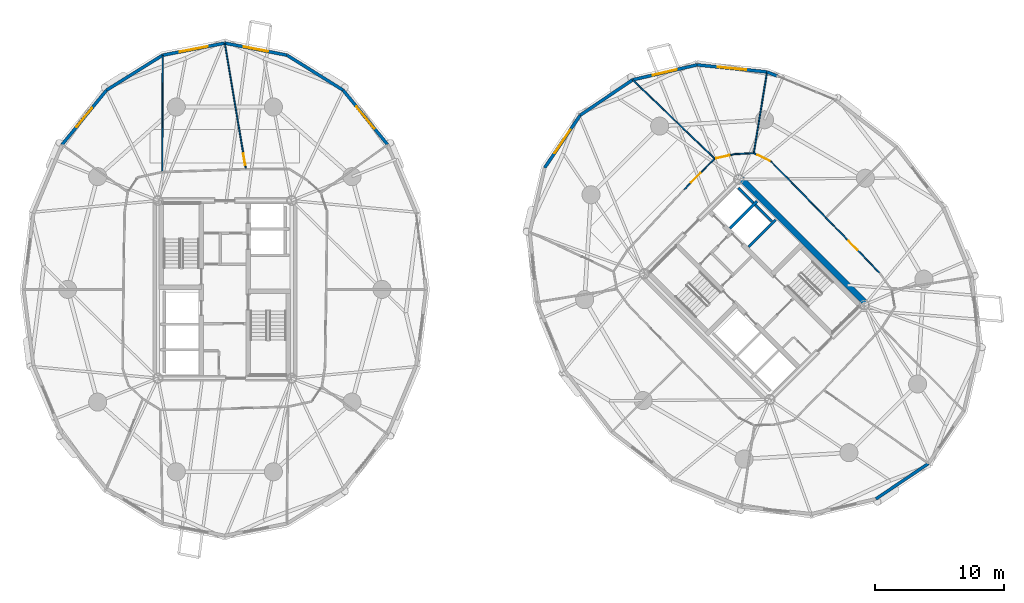
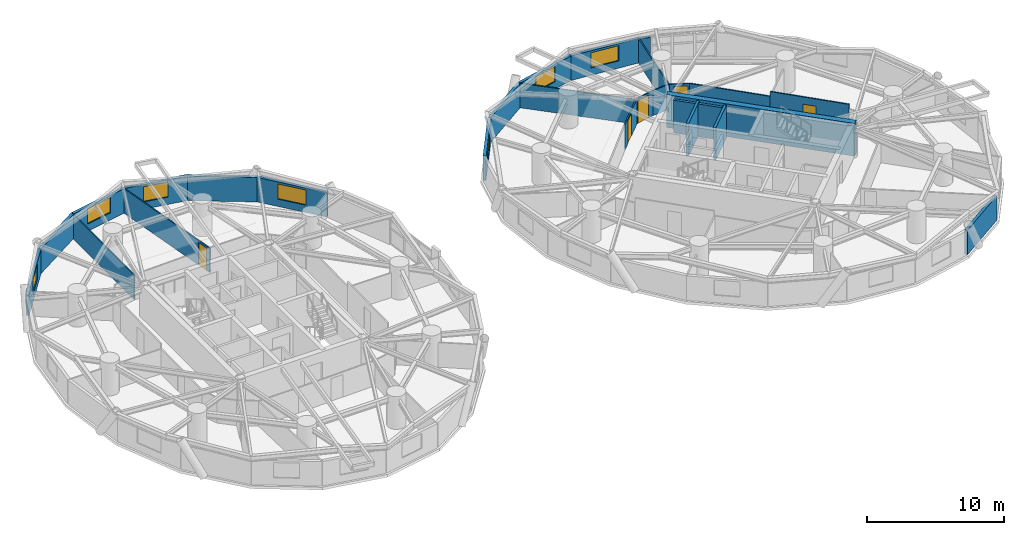
# One storey, part 13 of 16: 27 walls, 7 windows, 5 doors, 12 openings.
"""IFC4 building model written with IfcOpenShell, lengths in metres."""

from ifc_helpers import new_model, si_unit, direction, frame, frame_2d, origin, place, context, subcontext, project, spatial, rectangle, extrude, source, transform, mapped, material, layer, layer_set, type_object, element, fill, save


model = new_model("IFC4")

# Units and contexts
model_context = context("Model", 3, precision=1e-05, world=origin(), true_north=direction((0.0, 1.0)))
body_context = subcontext(model_context, "Body", "Model", "MODEL_VIEW")
ifc_project = project(units=[si_unit("LENGTHUNIT", "METRE"), si_unit("AREAUNIT", "SQUARE_METRE"), si_unit("VOLUMEUNIT", "CUBIC_METRE"), si_unit("PLANEANGLEUNIT", "RADIAN"), si_unit("MASSUNIT", "GRAM", prefix="KILO")], contexts=[model_context])

# Site, building, storey
site_placement = place(None, origin())
site = spatial("IfcSite", under=ifc_project, at=site_placement, CompositionType="ELEMENT")
building_placement = place(site_placement, origin())
building = spatial("IfcBuilding", under=site, at=building_placement, Name="Cununo Teusaquillo Station Towers", CompositionType="ELEMENT")
storey_placement = place(building_placement, frame((0.0, 0.0, 99.25)))
storey = spatial("IfcBuildingStorey", under=building, at=storey_placement, Name="L31", CompositionType="ELEMENT", Elevation=99.25)

# Walls
ifc_material_1 = material(Name="Concrete C50/60", Category="concrete")
ifc_layer_1 = layer(ifc_material_1, 0.199951171875)
ifc_layer_set_1 = layer_set([ifc_layer_1], Name="Concrete C50/60")
wall_type_1 = type_object("IfcWallType", Name="WL-CORE-200", PredefinedType="SHEAR", material=ifc_layer_set_1)
wall_1_placement = place(storey_placement, frame((57.0615234375, 27.781005859375, 0.0), z_axis=(0.0, 0.0, 1.0), x_axis=(0.707106781187, 0.707106781187, 0.0)))
element("IfcWall", 1, at=wall_1_placement, inside=storey, type_object=wall_type_1, Name="L31 Tower B Low-Rise Lift Hoistway South Shear Wall", PredefinedType="SHEAR", context=body_context, shape_type="SweptSolid", body=[
    extrude(rectangle(XDim=2.969970703125, YDim=0.199951171875, at=frame_2d((1.48486328125, 0.0))), origin(), (0.0, 0.0, 1.0), 2.909912109375),
])
wall_2_placement = place(storey_placement, frame((55.615478515625, 29.22705078125, 0.0), z_axis=(0.0, 0.0, 1.0), x_axis=(0.707147878904, 0.70706568108, 0.0)))
element("IfcWall", 2, at=wall_2_placement, inside=storey, type_object=wall_type_1, Name="L31 Tower B Low-Rise Lift Hoistway Divider Shear Wall", PredefinedType="SHEAR", context=body_context, shape_type="SweptSolid", body=[
    extrude(rectangle(XDim=2.97021484375, YDim=0.199951171875, at=frame_2d((1.485107421875, 0.0))), origin(), (0.0, 0.0, 1.0), 2.909912109375),
])
wall_3_placement = place(storey_placement, frame((58.86474609375, 29.75390625, 0.0), z_axis=(0.0, 0.0, 1.0), x_axis=(-0.707174411312, 0.707039144592, 0.0)))
element("IfcWall", 3, at=wall_3_placement, inside=storey, type_object=wall_type_1, Name="L31 Tower B Low-Rise Lift 1 Shaft Rear Shear Wall", PredefinedType="SHEAR", context=body_context, shape_type="SweptSolid", body=[
    extrude(rectangle(XDim=1.804931640625, YDim=0.199951171875, at=frame_2d((0.90234375, 0.0))), origin(), (0.0, 0.0, 1.0), 2.909912109375),
])
wall_4_placement = place(storey_placement, frame((57.418701171875, 31.19970703125, 0.0), z_axis=(0.0, 0.0, 1.0), x_axis=(-0.707032117043, 0.707181437447, 0.0)))
element("IfcWall", 4, at=wall_4_placement, inside=storey, type_object=wall_type_1, Name="L31 Tower B Low-Rise Lift 2 Shaft Rear Shear Wall", PredefinedType="SHEAR", context=body_context, shape_type="SweptSolid", body=[
    extrude(rectangle(XDim=1.635009765625, YDim=0.199951171875, at=frame_2d((0.8173828125, 0.0))), origin(), (0.0, 0.0, 1.0), 2.909912109375),
])
ifc_material_2 = material(Name="Concrete C60/75", Category="concrete")
ifc_layer_2 = layer(ifc_material_2, 0.449951171875)
ifc_layer_set_2 = layer_set([ifc_layer_2], Name="Concrete C60/75")
wall_type_2 = type_object("IfcWallType", Name="WL-CORE-450", PredefinedType="SHEAR", material=ifc_layer_set_2)
wall_5_placement = place(storey_placement, frame((66.303466796875, 23.2626953125, 0.0), z_axis=(0.0, 0.0, 1.0), x_axis=(-0.707106781187, 0.707106781187, 0.0)))
element("IfcWall", 5, at=wall_5_placement, inside=storey, type_object=wall_type_2, Name="L31 Tower B Core Shear Wall E", PredefinedType="SHEAR", context=body_context, shape_type="SweptSolid", body=[
    extrude(rectangle(XDim=14.19970703125, YDim=0.449951171875, at=frame_2d((7.099853515625, 0.0))), origin(), (0.0, 0.0, 1.0), 2.909912109375),
])

# Wall, opening, window
ifc_material_3 = material(Name="Precast concrete C40/50", Category="concrete")
ifc_layer_3 = layer(ifc_material_3, 0.239990234375)
ifc_layer_set_3 = layer_set([ifc_layer_3], Name="Precast concrete C40/50")
wall_type_3 = type_object("IfcWallType", Name="WL-EXT-240", PredefinedType="SOLIDWALL", material=ifc_layer_set_3)
wall_6_placement = place(storey_placement, frame((25.658203125, 39.927978515625, 0.0), z_axis=(0.0, 0.0, 1.0), x_axis=(0.632700781152, -0.77439635945, 0.0)))
wall_6 = element("IfcWall", 6, at=wall_6_placement, inside=storey, type_object=wall_type_3, Name="L31 Tower A Exterior Facade Wall C02", PredefinedType="SOLIDWALL", context=body_context, shape_type="SweptSolid", body=[
    extrude(rectangle(XDim=5.447998046875, YDim=0.239990234375, at=frame_2d((2.72412109375, 0.0))), origin(), (0.0, 0.0, 1.0), 2.178955078125),
])
shared_shape_1 = source(origin(), body_context, "Body", "SweptSolid", [
    extrude(rectangle(XDim=2.199951171875, YDim=1.35009765625, at=frame_2d((1.10009765625, 0.675048828125))), frame((0.0, 0.1298828125, 0.0), z_axis=(0.0, -1.0, 0.0), x_axis=(1.0, 0.0, 0.0)), (0.0, 0.0, 1.0), 0.260009765625),
])
opening_1_placement = place(wall_6_placement, frame((1.6240234375, 0.0, 0.64990234375)))
opening_1 = element("IfcOpeningElement", 7, at=opening_1_placement, cuts=wall_6, Name="Opening WN-01", PredefinedType="OPENING", context=body_context, shape_type="MappedRepresentation", body=[
    mapped(shared_shape_1, transform((0.0, 0.0, 0.0), x_axis=(1.0, 0.0, 0.0), y_axis=(0.0, 1.0, 0.0), z_axis=(0.0, 0.0, 1.0), scale=1.0)),
])
ifc_material_4 = material(Name="Ceramic-fritted dark low-E double glazing", Category="glass")
window_type_1 = type_object("IfcWindowType", Name="WIN-FRIT-2200", PartitioningType="DOUBLE_PANEL_VERTICAL", PredefinedType="WINDOW", material=ifc_material_4)
shared_shape_2 = source(origin(), body_context, "Body", "SweptSolid", [
    extrude(rectangle(XDim=2.199951171875, YDim=1.35009765625, at=frame_2d((1.10009765625, 0.675048828125))), frame((0.0, 0.030029296875, 0.0), z_axis=(0.0, -1.0, 0.0), x_axis=(1.0, 0.0, 0.0)), (0.0, 0.0, 1.0), 0.06005859375),
])
window_1_placement = place(opening_1_placement, origin())
window_1 = element("IfcWindow", 8, at=window_1_placement, inside=storey, type_object=window_type_1, Name="L31 Tower A Facade Window C02", OverallHeight=1.35009765625, OverallWidth=2.199951171875, PartitioningType="DOUBLE_PANEL_VERTICAL", PredefinedType="WINDOW", context=body_context, shape_type="MappedRepresentation", body=[
    mapped(shared_shape_2, transform((0.0, 0.0, 0.0), x_axis=(1.0, 0.0, 0.0), y_axis=(0.0, 1.0, 0.0), z_axis=(0.0, 0.0, 1.0), scale=1.0)),
])
fill(opening_1, window_1)

# Wall
wall_7_placement = place(storey_placement, frame((21.314697265625, 42.63671875, 0.0), z_axis=(0.0, 0.0, 1.0), x_axis=(0.848520380187, -0.529162701263, 0.0)))
element("IfcWall", 9, at=wall_7_placement, inside=storey, type_object=wall_type_3, Name="L31 Tower A Exterior Facade Wall C03", PredefinedType="SOLIDWALL", context=body_context, shape_type="SweptSolid", body=[
    extrude(rectangle(XDim=5.118896484375, YDim=0.239990234375, at=frame_2d((2.5595703125, 0.0))), origin(), (0.0, 0.0, 1.0), 2.178955078125),
])

# Wall, opening, window
wall_8_placement = place(storey_placement, frame((16.5, 43.570068359375, 0.0), z_axis=(0.0, 0.0, 1.0), x_axis=(0.981723785992, -0.190311344954, 0.0)))
wall_8 = element("IfcWall", 10, at=wall_8_placement, inside=storey, type_object=wall_type_3, Name="L31 Tower A Exterior Facade Wall C04", PredefinedType="SOLIDWALL", context=body_context, shape_type="SweptSolid", body=[
    extrude(rectangle(XDim=4.904296875, YDim=0.239990234375, at=frame_2d((2.4521484375, 0.0))), origin(), (0.0, 0.0, 1.0), 2.178955078125),
])
shared_shape_3 = source(origin(), body_context, "Body", "SweptSolid", [
    extrude(rectangle(XDim=1.89990234375, YDim=1.35009765625, at=frame_2d((0.949951171875, 0.675048828125))), frame((0.0, 0.1298828125, 0.0), z_axis=(0.0, -1.0, 0.0), x_axis=(1.0, 0.0, 0.0)), (0.0, 0.0, 1.0), 0.260009765625),
])
opening_2_placement = place(wall_8_placement, frame((1.501953125, 0.0, 0.64990234375)))
opening_2 = element("IfcOpeningElement", 11, at=opening_2_placement, cuts=wall_8, Name="Opening WN-02", PredefinedType="OPENING", context=body_context, shape_type="MappedRepresentation", body=[
    mapped(shared_shape_3, transform((0.0, 0.0, 0.0), x_axis=(1.0, 0.0, 0.0), y_axis=(0.0, 1.0, 0.0), z_axis=(0.0, 0.0, 1.0), scale=1.0)),
])
ifc_material_5 = material(Name="Operable acoustic tinted low-E double glazing", Category="glass")
window_type_2 = type_object("IfcWindowType", Name="WIN-OPER-1900", PartitioningType="DOUBLE_PANEL_VERTICAL", PredefinedType="WINDOW", material=ifc_material_5)
shared_shape_4 = source(origin(), body_context, "Body", "SweptSolid", [
    extrude(rectangle(XDim=1.89990234375, YDim=1.35009765625, at=frame_2d((0.949951171875, 0.675048828125))), frame((0.0, 0.030029296875, 0.0), z_axis=(0.0, -1.0, 0.0), x_axis=(1.0, 0.0, 0.0)), (0.0, 0.0, 1.0), 0.06005859375),
])
window_2_placement = place(opening_2_placement, origin())
window_2 = element("IfcWindow", 12, at=window_2_placement, inside=storey, type_object=window_type_2, Name="L31 Tower A Facade Window C04", OverallHeight=1.35009765625, OverallWidth=1.89990234375, PartitioningType="DOUBLE_PANEL_VERTICAL", PredefinedType="WINDOW", context=body_context, shape_type="MappedRepresentation", body=[
    mapped(shared_shape_4, transform((0.0, 0.0, 0.0), x_axis=(1.0, 0.0, 0.0), y_axis=(0.0, 1.0, 0.0), z_axis=(0.0, 0.0, 1.0), scale=1.0)),
])
fill(opening_2, window_2)

wall_9_placement = place(storey_placement, frame((11.685302734375, 42.63671875, 0.0), z_axis=(0.0, 0.0, 1.0), x_axis=(0.981723785992, 0.190311344954, 0.0)))
wall_9 = element("IfcWall", 13, at=wall_9_placement, inside=storey, type_object=wall_type_3, Name="L31 Tower A Exterior Facade Wall C05", PredefinedType="SOLIDWALL", context=body_context, shape_type="SweptSolid", body=[
    extrude(rectangle(XDim=4.904296875, YDim=0.239990234375, at=frame_2d((2.4521484375, 0.0))), origin(), (0.0, 0.0, 1.0), 2.178955078125),
])
opening_3_placement = place(wall_9_placement, frame((1.35205078125, 0.0, 0.64990234375)))
opening_3 = element("IfcOpeningElement", 14, at=opening_3_placement, cuts=wall_9, Name="Opening WN-01", PredefinedType="OPENING", context=body_context, shape_type="MappedRepresentation", body=[
    mapped(shared_shape_1, transform((0.0, 0.0, 0.0), x_axis=(1.0, 0.0, 0.0), y_axis=(0.0, 1.0, 0.0), z_axis=(0.0, 0.0, 1.0), scale=1.0)),
])
window_3_placement = place(opening_3_placement, origin())
window_3 = element("IfcWindow", 15, at=window_3_placement, inside=storey, type_object=window_type_1, Name="L31 Tower A Facade Window C05", OverallHeight=1.35009765625, OverallWidth=2.199951171875, PartitioningType="DOUBLE_PANEL_VERTICAL", PredefinedType="WINDOW", context=body_context, shape_type="MappedRepresentation", body=[
    mapped(shared_shape_2, transform((0.0, 0.0, 0.0), x_axis=(1.0, 0.0, 0.0), y_axis=(0.0, 1.0, 0.0), z_axis=(0.0, 0.0, 1.0), scale=1.0)),
])
fill(opening_3, window_3)

# Wall
wall_10_placement = place(storey_placement, frame((7.341796875, 39.927978515625, 0.0), z_axis=(0.0, 0.0, 1.0), x_axis=(0.848520380187, 0.529162701263, 0.0)))
element("IfcWall", 16, at=wall_10_placement, inside=storey, type_object=wall_type_3, Name="L31 Tower A Exterior Facade Wall C06", PredefinedType="SOLIDWALL", context=body_context, shape_type="SweptSolid", body=[
    extrude(rectangle(XDim=5.118896484375, YDim=0.239990234375, at=frame_2d((2.5595703125, 0.0))), origin(), (0.0, 0.0, 1.0), 2.178955078125),
])

# Wall, opening, window
wall_11_placement = place(storey_placement, frame((3.894775390625, 35.708984375, 0.0), z_axis=(0.0, 0.0, 1.0), x_axis=(0.632700781152, 0.77439635945, 0.0)))
wall_11 = element("IfcWall", 17, at=wall_11_placement, inside=storey, type_object=wall_type_3, Name="L31 Tower A Exterior Facade Wall C07", PredefinedType="SOLIDWALL", context=body_context, shape_type="SweptSolid", body=[
    extrude(rectangle(XDim=5.447998046875, YDim=0.239990234375, at=frame_2d((2.72412109375, 0.0))), origin(), (0.0, 0.0, 1.0), 2.178955078125),
])
opening_4_placement = place(wall_11_placement, frame((1.77392578125, 0.0, 0.64990234375)))
opening_4 = element("IfcOpeningElement", 18, at=opening_4_placement, cuts=wall_11, Name="Opening WN-02", PredefinedType="OPENING", context=body_context, shape_type="MappedRepresentation", body=[
    mapped(shared_shape_3, transform((0.0, 0.0, 0.0), x_axis=(1.0, 0.0, 0.0), y_axis=(0.0, 1.0, 0.0), z_axis=(0.0, 0.0, 1.0), scale=1.0)),
])
window_4_placement = place(opening_4_placement, origin())
window_4 = element("IfcWindow", 19, at=window_4_placement, inside=storey, type_object=window_type_2, Name="L31 Tower A Facade Window C07", OverallHeight=1.35009765625, OverallWidth=1.89990234375, PartitioningType="DOUBLE_PANEL_VERTICAL", PredefinedType="WINDOW", context=body_context, shape_type="MappedRepresentation", body=[
    mapped(shared_shape_4, transform((0.0, 0.0, 0.0), x_axis=(1.0, 0.0, 0.0), y_axis=(0.0, 1.0, 0.0), z_axis=(0.0, 0.0, 1.0), scale=1.0)),
])
fill(opening_4, window_4)

# Wall
wall_12_placement = place(storey_placement, frame((58.4873046875, 41.33935546875, 0.0), z_axis=(0.0, 0.0, 1.0), x_axis=(0.924556017656, -0.381046152345, 0.0)))
element("IfcWall", 20, at=wall_12_placement, inside=storey, type_object=wall_type_3, Name="L31 Tower B Column Pier Cladding Wall C01-PA", PredefinedType="SOLIDWALL", context=body_context, shape_type="SweptSolid", body=[
    extrude(rectangle(XDim=0.8701171875, YDim=0.239990234375, at=frame_2d((0.43505859375, 0.0))), origin(), (0.0, 0.0, 1.0), 2.178955078125),
])

# Wall, opening, window
wall_13_placement = place(storey_placement, frame((53.066650390625, 41.885009765625, 0.0), z_axis=(0.0, 0.0, 1.0), x_axis=(0.994971754311, -0.10015591906, 0.0)))
wall_13 = element("IfcWall", 21, at=wall_13_placement, inside=storey, type_object=wall_type_3, Name="L31 Tower B Exterior Facade Wall C02", PredefinedType="SOLIDWALL", context=body_context, shape_type="SweptSolid", body=[
    extrude(rectangle(XDim=5.447998046875, YDim=0.239990234375, at=frame_2d((2.72412109375, 0.0))), origin(), (0.0, 0.0, 1.0), 2.178955078125),
])
opening_5_placement = place(wall_13_placement, frame((1.6240234375, 0.0, 0.64990234375)))
opening_5 = element("IfcOpeningElement", 22, at=opening_5_placement, cuts=wall_13, Name="Opening WN-01", PredefinedType="OPENING", context=body_context, shape_type="MappedRepresentation", body=[
    mapped(shared_shape_1, transform((0.0, 0.0, 0.0), x_axis=(1.0, 0.0, 0.0), y_axis=(0.0, 1.0, 0.0), z_axis=(0.0, 0.0, 1.0), scale=1.0)),
])
window_5_placement = place(opening_5_placement, origin())
window_5 = element("IfcWindow", 23, at=window_5_placement, inside=storey, type_object=window_type_1, Name="L31 Tower B Facade Window C02", OverallHeight=1.35009765625, OverallWidth=2.199951171875, PartitioningType="DOUBLE_PANEL_VERTICAL", PredefinedType="WINDOW", context=body_context, shape_type="MappedRepresentation", body=[
    mapped(shared_shape_2, transform((0.0, 0.0, 0.0), x_axis=(1.0, 0.0, 0.0), y_axis=(0.0, 1.0, 0.0), z_axis=(0.0, 0.0, 1.0), scale=1.0)),
])
fill(opening_5, window_5)

wall_14_placement = place(storey_placement, frame((48.080078125, 40.72900390625, 0.0), z_axis=(0.0, 0.0, 1.0), x_axis=(0.974165631126, 0.225834725257, 0.0)))
wall_14 = element("IfcWall", 24, at=wall_14_placement, inside=storey, type_object=wall_type_3, Name="L31 Tower B Exterior Facade Wall C03", PredefinedType="SOLIDWALL", context=body_context, shape_type="SweptSolid", body=[
    extrude(rectangle(XDim=5.118896484375, YDim=0.239990234375, at=frame_2d((2.5595703125, 0.0))), origin(), (0.0, 0.0, 1.0), 2.178955078125),
])
opening_6_placement = place(wall_14_placement, frame((1.60888671875, 0.0, 0.64990234375)))
opening_6 = element("IfcOpeningElement", 25, at=opening_6_placement, cuts=wall_14, Name="Opening WN-02", PredefinedType="OPENING", context=body_context, shape_type="MappedRepresentation", body=[
    mapped(shared_shape_3, transform((0.0, 0.0, 0.0), x_axis=(1.0, 0.0, 0.0), y_axis=(0.0, 1.0, 0.0), z_axis=(0.0, 0.0, 1.0), scale=1.0)),
])
window_6_placement = place(opening_6_placement, origin())
window_6 = element("IfcWindow", 26, at=window_6_placement, inside=storey, type_object=window_type_2, Name="L31 Tower B Facade Window C03", OverallHeight=1.35009765625, OverallWidth=1.89990234375, PartitioningType="DOUBLE_PANEL_VERTICAL", PredefinedType="WINDOW", context=body_context, shape_type="MappedRepresentation", body=[
    mapped(shared_shape_4, transform((0.0, 0.0, 0.0), x_axis=(1.0, 0.0, 0.0), y_axis=(0.0, 1.0, 0.0), z_axis=(0.0, 0.0, 1.0), scale=1.0)),
])
fill(opening_6, window_6)

# Wall
wall_15_placement = place(storey_placement, frame((44.015380859375, 37.984619140625, 0.0), z_axis=(0.0, 0.0, 1.0), x_axis=(0.828781148131, 0.559572880421, 0.0)))
element("IfcWall", 27, at=wall_15_placement, inside=storey, type_object=wall_type_3, Name="L31 Tower B Exterior Facade Wall C04", PredefinedType="SOLIDWALL", context=body_context, shape_type="SweptSolid", body=[
    extrude(rectangle(XDim=4.904541015625, YDim=0.239990234375, at=frame_2d((2.4521484375, 0.0))), origin(), (0.0, 0.0, 1.0), 2.178955078125),
])

# Wall, opening, window
wall_16_placement = place(storey_placement, frame((41.27099609375, 33.919921875, 0.0), z_axis=(0.0, 0.0, 1.0), x_axis=(0.559572880421, 0.828781148131, 0.0)))
wall_16 = element("IfcWall", 28, at=wall_16_placement, inside=storey, type_object=wall_type_3, Name="L31 Tower B Exterior Facade Wall C05", PredefinedType="SOLIDWALL", context=body_context, shape_type="SweptSolid", body=[
    extrude(rectangle(XDim=4.904541015625, YDim=0.239990234375, at=frame_2d((2.4521484375, 0.0))), origin(), (0.0, 0.0, 1.0), 2.178955078125),
])
opening_7_placement = place(wall_16_placement, frame((1.35205078125, 0.0, 0.64990234375)))
opening_7 = element("IfcOpeningElement", 29, at=opening_7_placement, cuts=wall_16, Name="Opening WN-01", PredefinedType="OPENING", context=body_context, shape_type="MappedRepresentation", body=[
    mapped(shared_shape_1, transform((0.0, 0.0, 0.0), x_axis=(1.0, 0.0, 0.0), y_axis=(0.0, 1.0, 0.0), z_axis=(0.0, 0.0, 1.0), scale=1.0)),
])
window_7_placement = place(opening_7_placement, origin())
window_7 = element("IfcWindow", 30, at=window_7_placement, inside=storey, type_object=window_type_1, Name="L31 Tower B Facade Window C05", OverallHeight=1.35009765625, OverallWidth=2.199951171875, PartitioningType="DOUBLE_PANEL_VERTICAL", PredefinedType="WINDOW", context=body_context, shape_type="MappedRepresentation", body=[
    mapped(shared_shape_2, transform((0.0, 0.0, 0.0), x_axis=(1.0, 0.0, 0.0), y_axis=(0.0, 1.0, 0.0), z_axis=(0.0, 0.0, 1.0), scale=1.0)),
])
fill(opening_7, window_7)

# Walls
wall_17_placement = place(storey_placement, frame((70.984619140625, 11.015380859375, 0.0), z_axis=(0.0, 0.0, 1.0), x_axis=(-0.828781148131, -0.559572880421, 0.0)))
element("IfcWall", 31, at=wall_17_placement, inside=storey, type_object=wall_type_3, Name="L31 Tower B Exterior Facade Wall C14", PredefinedType="SOLIDWALL", context=body_context, shape_type="SweptSolid", body=[
    extrude(rectangle(XDim=4.904541015625, YDim=0.239990234375, at=frame_2d((2.4521484375, 0.0))), origin(), (0.0, 0.0, 1.0), 2.178955078125),
])
ifc_material_6 = material(Name="Fire-rated gypsum plasterboard partition assembly", Category="gypsum")
ifc_layer_4 = layer(ifc_material_6, 0.10009765625)
ifc_layer_set_4 = layer_set([ifc_layer_4], Name="Fire-rated gypsum plasterboard partition assembly")
wall_type_4 = type_object("IfcWallType", Name="WL-PART-100", PredefinedType="MOVABLE", material=ifc_layer_set_4)
wall_18_placement = place(storey_placement, frame((11.650390625, 33.587890625, 0.0), z_axis=(0.0, 0.0, 1.0), x_axis=(0.004542212376, 0.9999896841, 0.0)))
element("IfcWall", 32, at=wall_18_placement, inside=storey, type_object=wall_type_4, Name="L31 Tower A Radial Suite Partition R03", PredefinedType="MOVABLE", context=body_context, shape_type="SweptSolid", body=[
    extrude(rectangle(XDim=9.02978515625, YDim=0.10009765625, at=frame_2d((4.514892578125, 0.0))), origin(), (0.0, 0.0, 1.0), 2.178955078125),
])

# Wall, opening, door
wall_19_placement = place(storey_placement, frame((18.1328125, 33.8095703125, 0.0), z_axis=(0.0, 0.0, 1.0), x_axis=(-0.165324898919, 0.98623915852, 0.0)))
wall_19 = element("IfcWall", 33, at=wall_19_placement, inside=storey, type_object=wall_type_4, Name="L31 Tower A Quantitative Risk Analytics Practice Suite Subdividing Wall", PredefinedType="MOVABLE", context=body_context, shape_type="SweptSolid", body=[
    extrude(rectangle(XDim=9.87646484375, YDim=0.10009765625, at=frame_2d((4.938232421875, 0.0))), origin(), (0.0, 0.0, 1.0), 2.178955078125),
])
shared_shape_5 = source(origin(), body_context, "Body", "SweptSolid", [
    extrude(rectangle(XDim=0.89990234375, YDim=2.0048828125, at=frame_2d((0.449951171875, 1.00244140625))), frame((0.0, 0.06005859375, 0.0), z_axis=(0.0, -1.0, 0.0), x_axis=(1.0, 0.0, 0.0)), (0.0, 0.0, 1.0), 0.1201171875),
])
opening_8_placement = place(wall_19_placement, frame((0.330078125, 0.0, 0.0)))
opening_8 = element("IfcOpeningElement", 34, at=opening_8_placement, cuts=wall_19, Name="Opening D-IN1", PredefinedType="OPENING", context=body_context, shape_type="MappedRepresentation", body=[
    mapped(shared_shape_5, transform((0.0, 0.0, 0.0), x_axis=(1.0, 0.0, 0.0), y_axis=(0.0, 1.0, 0.0), z_axis=(0.0, 0.0, 1.0), scale=1.0)),
])
ifc_material_7 = material(Name="Acoustic solid-core hardwood leaf assembly", Category="wood")
door_type_1 = type_object("IfcDoorType", Name="DR-INT-900", OperationType="NOTDEFINED", PredefinedType="DOOR", material=ifc_material_7)
shared_shape_6 = source(origin(), body_context, "Body", "SweptSolid", [
    extrude(rectangle(XDim=0.89990234375, YDim=2.0048828125, at=frame_2d((0.449951171875, 1.00244140625))), frame((0.0, 0.02490234375, 0.0), z_axis=(0.0, -1.0, 0.0), x_axis=(1.0, 0.0, 0.0)), (0.0, 0.0, 1.0), 0.050048828125),
])
door_1_placement = place(opening_8_placement, origin())
door_1 = element("IfcDoor", 35, at=door_1_placement, inside=storey, type_object=door_type_1, Name="L31 Tower A Quantitative Risk Analytics Practice Suite Connecting Door", OperationType="SINGLE_SWING_RIGHT", OverallHeight=2.0048828125, OverallWidth=0.89990234375, PredefinedType="DOOR", context=body_context, shape_type="MappedRepresentation", body=[
    mapped(shared_shape_6, transform((0.0, 0.0, 0.0), x_axis=(1.0, 0.0, 0.0), y_axis=(0.0, 1.0, 0.0), z_axis=(0.0, 0.0, 1.0), scale=1.0)),
])
fill(opening_8, door_1)

# Wall
wall_20_placement = place(storey_placement, frame((63.05078125, 30.05078125, 0.0), z_axis=(0.0, 0.0, 1.0), x_axis=(-0.698911483116, 0.715208178622, 0.0)))
element("IfcWall", 36, at=wall_20_placement, inside=storey, type_object=wall_type_4, Name="L31 Tower B Corridor Ring Wall C00", PredefinedType="MOVABLE", context=body_context, shape_type="SweptSolid", body=[
    extrude(rectangle(XDim=6.082275390625, YDim=0.10009765625, at=frame_2d((3.041015625, 0.0))), origin(), (0.0, 0.0, 1.0), 2.22509765625),
])

# Wall, opening, door
wall_21_placement = place(storey_placement, frame((58.7998046875, 34.40087890625, 0.0), z_axis=(0.0, 0.0, 1.0), x_axis=(-0.899620612635, 0.436672363818, 0.0)))
wall_21 = element("IfcWall", 37, at=wall_21_placement, inside=storey, type_object=wall_type_4, Name="L31 Tower B Corridor Ring Wall C01", PredefinedType="MOVABLE", context=body_context, shape_type="SweptSolid", body=[
    extrude(rectangle(XDim=1.486572265625, YDim=0.10009765625, at=frame_2d((0.7431640625, 0.0))), origin(), (0.0, 0.0, 1.0), 2.22509765625),
])
shared_shape_7 = source(origin(), body_context, "Body", "SweptSolid", [
    extrude(rectangle(XDim=1.050048828125, YDim=2.014892578125, at=frame_2d((0.52490234375, 1.00732421875))), frame((0.0, 0.06005859375, 0.0), z_axis=(0.0, -1.0, 0.0), x_axis=(1.0, 0.0, 0.0)), (0.0, 0.0, 1.0), 0.1201171875),
])
opening_9_placement = place(wall_21_placement, frame((0.1201171875, 0.0, 0.0)))
opening_9 = element("IfcOpeningElement", 38, at=opening_9_placement, cuts=wall_21, Name="Opening D-SU1", PredefinedType="OPENING", context=body_context, shape_type="MappedRepresentation", body=[
    mapped(shared_shape_7, transform((0.0, 0.0, 0.0), x_axis=(1.0, 0.0, 0.0), y_axis=(0.0, 1.0, 0.0), z_axis=(0.0, 0.0, 1.0), scale=1.0)),
])
ifc_material_8 = material(Name="Acoustic solid-core hardwood leaf assembly", Category="wood")
door_type_2 = type_object("IfcDoorType", Name="DR-SUITE-1050", OperationType="NOTDEFINED", PredefinedType="DOOR", material=ifc_material_8)
shared_shape_8 = source(origin(), body_context, "Body", "SweptSolid", [
    extrude(rectangle(XDim=1.050048828125, YDim=2.014892578125, at=frame_2d((0.52490234375, 1.00732421875))), frame((0.0, 0.02490234375, 0.0), z_axis=(0.0, -1.0, 0.0), x_axis=(1.0, 0.0, 0.0)), (0.0, 0.0, 1.0), 0.050048828125),
])
door_2_placement = place(opening_9_placement, origin())
door_2 = element("IfcDoor", 39, at=door_2_placement, inside=storey, type_object=door_type_2, Name="L31 Tower B Equities & Carbon Desk Trading Hall Entrance Door", OperationType="SINGLE_SWING_LEFT", OverallHeight=2.014892578125, OverallWidth=1.050048828125, PredefinedType="DOOR", context=body_context, shape_type="MappedRepresentation", body=[
    mapped(shared_shape_8, transform((0.0, 0.0, 0.0), x_axis=(1.0, 0.0, 0.0), y_axis=(0.0, 1.0, 0.0), z_axis=(0.0, 0.0, 1.0), scale=1.0)),
])
fill(opening_9, door_2)

# Wall
wall_22_placement = place(storey_placement, frame((57.46240234375, 35.050048828125, 0.0), z_axis=(0.0, 0.0, 1.0), x_axis=(-0.998677016607, -0.051421945723, 0.0)))
element("IfcWall", 40, at=wall_22_placement, inside=storey, type_object=wall_type_4, Name="L31 Tower B Corridor Ring Wall C02", PredefinedType="MOVABLE", context=body_context, shape_type="SweptSolid", body=[
    extrude(rectangle(XDim=1.4765625, YDim=0.10009765625, at=frame_2d((0.73828125, 0.0))), origin(), (0.0, 0.0, 1.0), 2.22509765625),
])

# Wall, opening, door
wall_23_placement = place(storey_placement, frame((55.98779296875, 34.97412109375, 0.0), z_axis=(0.0, 0.0, 1.0), x_axis=(-0.975666565154, -0.219259557695, 0.0)))
wall_23 = element("IfcWall", 41, at=wall_23_placement, inside=storey, type_object=wall_type_4, Name="L31 Tower B Corridor Ring Wall C03", PredefinedType="MOVABLE", context=body_context, shape_type="SweptSolid", body=[
    extrude(rectangle(XDim=1.586669921875, YDim=0.10009765625, at=frame_2d((0.79345703125, 0.0))), origin(), (0.0, 0.0, 1.0), 2.22509765625),
])
opening_10_placement = place(wall_23_placement, frame((0.416748046875, 0.0, 0.0)))
opening_10 = element("IfcOpeningElement", 42, at=opening_10_placement, cuts=wall_23, Name="Opening D-SU1", PredefinedType="OPENING", context=body_context, shape_type="MappedRepresentation", body=[
    mapped(shared_shape_7, transform((0.0, 0.0, 0.0), x_axis=(1.0, 0.0, 0.0), y_axis=(0.0, 1.0, 0.0), z_axis=(0.0, 0.0, 1.0), scale=1.0)),
])
door_3_placement = place(opening_10_placement, origin())
door_3 = element("IfcDoor", 43, at=door_3_placement, inside=storey, type_object=door_type_2, Name="L31 Tower B Quantitative Risk Analytics Practice Entrance Door", OperationType="SINGLE_SWING_RIGHT", OverallHeight=2.014892578125, OverallWidth=1.050048828125, PredefinedType="DOOR", context=body_context, shape_type="MappedRepresentation", body=[
    mapped(shared_shape_8, transform((0.0, 0.0, 0.0), x_axis=(1.0, 0.0, 0.0), y_axis=(0.0, 1.0, 0.0), z_axis=(0.0, 0.0, 1.0), scale=1.0)),
])
fill(opening_10, door_3)

wall_24_placement = place(storey_placement, frame((54.439697265625, 34.626220703125, 0.0), z_axis=(0.0, 0.0, 1.0), x_axis=(-0.703978840546, -0.710220945948, 0.0)))
wall_24 = element("IfcWall", 44, at=wall_24_placement, inside=storey, type_object=wall_type_4, Name="L31 Tower B Corridor Ring Wall C04", PredefinedType="MOVABLE", context=body_context, shape_type="SweptSolid", body=[
    extrude(rectangle(XDim=3.363525390625, YDim=0.10009765625, at=frame_2d((1.681640625, 0.0))), origin(), (0.0, 0.0, 1.0), 2.22509765625),
])
opening_11_placement = place(wall_24_placement, frame((1.545654296875, 0.0, 0.0)))
opening_11 = element("IfcOpeningElement", 45, at=opening_11_placement, cuts=wall_24, Name="Opening D-SU1", PredefinedType="OPENING", context=body_context, shape_type="MappedRepresentation", body=[
    mapped(shared_shape_7, transform((0.0, 0.0, 0.0), x_axis=(1.0, 0.0, 0.0), y_axis=(0.0, 1.0, 0.0), z_axis=(0.0, 0.0, 1.0), scale=1.0)),
])
door_4_placement = place(opening_11_placement, origin())
door_4 = element("IfcDoor", 46, at=door_4_placement, inside=storey, type_object=door_type_2, Name="L31 Tower B Compliance & Audit Office Entrance Door", OperationType="SINGLE_SWING_LEFT", OverallHeight=2.014892578125, OverallWidth=1.050048828125, PredefinedType="DOOR", context=body_context, shape_type="MappedRepresentation", body=[
    mapped(shared_shape_8, transform((0.0, 0.0, 0.0), x_axis=(1.0, 0.0, 0.0), y_axis=(0.0, 1.0, 0.0), z_axis=(0.0, 0.0, 1.0), scale=1.0)),
])
fill(opening_11, door_4)

wall_25_placement = place(storey_placement, frame((67.212646484375, 25.76806640625, 0.0), z_axis=(0.0, 0.0, 1.0), x_axis=(-0.696916079748, 0.717152687918, 0.0)))
wall_25 = element("IfcWall", 47, at=wall_25_placement, inside=storey, type_object=wall_type_4, Name="L31 Tower B Corridor Ring Wall C19", PredefinedType="MOVABLE", context=body_context, shape_type="SweptSolid", body=[
    extrude(rectangle(XDim=5.971923828125, YDim=0.10009765625, at=frame_2d((2.98583984375, 0.0))), origin(), (0.0, 0.0, 1.0), 2.655029296875),
])
shared_shape_9 = source(origin(), body_context, "Body", "SweptSolid", [
    extrude(rectangle(XDim=1.0, YDim=2.014892578125, at=frame_2d((0.5, 1.00732421875))), frame((0.0, 0.06005859375, 0.0), z_axis=(0.0, -1.0, 0.0), x_axis=(1.0, 0.0, 0.0)), (0.0, 0.0, 1.0), 0.1201171875),
])
opening_12_placement = place(wall_25_placement, frame((2.486083984375, 0.0, 0.0)))
opening_12 = element("IfcOpeningElement", 48, at=opening_12_placement, cuts=wall_25, Name="Opening D-AC1", PredefinedType="OPENING", context=body_context, shape_type="MappedRepresentation", body=[
    mapped(shared_shape_9, transform((0.0, 0.0, 0.0), x_axis=(1.0, 0.0, 0.0), y_axis=(0.0, 1.0, 0.0), z_axis=(0.0, 0.0, 1.0), scale=1.0)),
])
ifc_material_9 = material(Name="Acoustic solid-core hardwood leaf assembly", Category="wood")
door_type_3 = type_object("IfcDoorType", Name="DR-ACC-1000", OperationType="NOTDEFINED", PredefinedType="DOOR", material=ifc_material_9)
shared_shape_10 = source(origin(), body_context, "Body", "SweptSolid", [
    extrude(rectangle(XDim=1.0, YDim=2.014892578125, at=frame_2d((0.5, 1.00732421875))), frame((0.0, 0.02490234375, 0.0), z_axis=(0.0, -1.0, 0.0), x_axis=(1.0, 0.0, 0.0)), (0.0, 0.0, 1.0), 0.050048828125),
])
door_5_placement = place(opening_12_placement, origin())
door_5 = element("IfcDoor", 49, at=door_5_placement, inside=storey, type_object=door_type_3, Name="L31 Tower B Public Accessible Restroom WC Entrance Door", OperationType="SINGLE_SWING_RIGHT", OverallHeight=2.014892578125, OverallWidth=1.0, PredefinedType="DOOR", context=body_context, shape_type="MappedRepresentation", body=[
    mapped(shared_shape_10, transform((0.0, 0.0, 0.0), x_axis=(1.0, 0.0, 0.0), y_axis=(0.0, 1.0, 0.0), z_axis=(0.0, 0.0, 1.0), scale=1.0)),
])
fill(opening_12, door_5)

# Walls
wall_26_placement = place(storey_placement, frame((57.46240234375, 35.050048828125, 0.0), z_axis=(0.0, 0.0, 1.0), x_axis=(0.160845392798, 0.98697961459, 0.0)))
element("IfcWall", 50, at=wall_26_placement, inside=storey, type_object=wall_type_4, Name="L31 Tower B Radial Suite Partition R02", PredefinedType="MOVABLE", context=body_context, shape_type="SweptSolid", body=[
    extrude(rectangle(XDim=6.352294921875, YDim=0.10009765625, at=frame_2d((3.17626953125, 0.0))), origin(), (0.0, 0.0, 1.0), 2.178955078125),
])
wall_27_placement = place(storey_placement, frame((54.439697265625, 34.626220703125, 0.0), z_axis=(0.0, 0.0, 1.0), x_axis=(-0.722045979822, 0.691845071547, 0.0)))
element("IfcWall", 51, at=wall_27_placement, inside=storey, type_object=wall_type_4, Name="L31 Tower B Radial Suite Partition R03", PredefinedType="MOVABLE", context=body_context, shape_type="SweptSolid", body=[
    extrude(rectangle(XDim=8.795166015625, YDim=0.10009765625, at=frame_2d((4.3974609375, 0.0))), origin(), (0.0, 0.0, 1.0), 2.178955078125),
])

save(model, "model.ifc")
